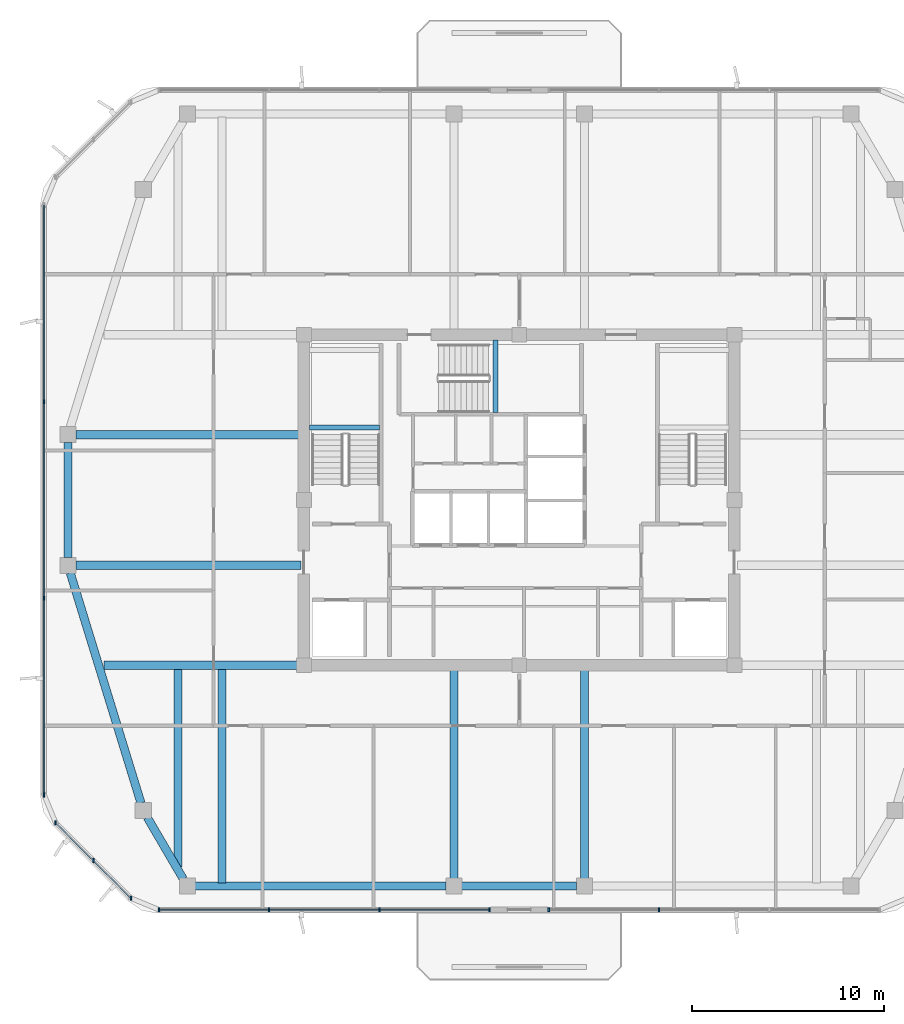
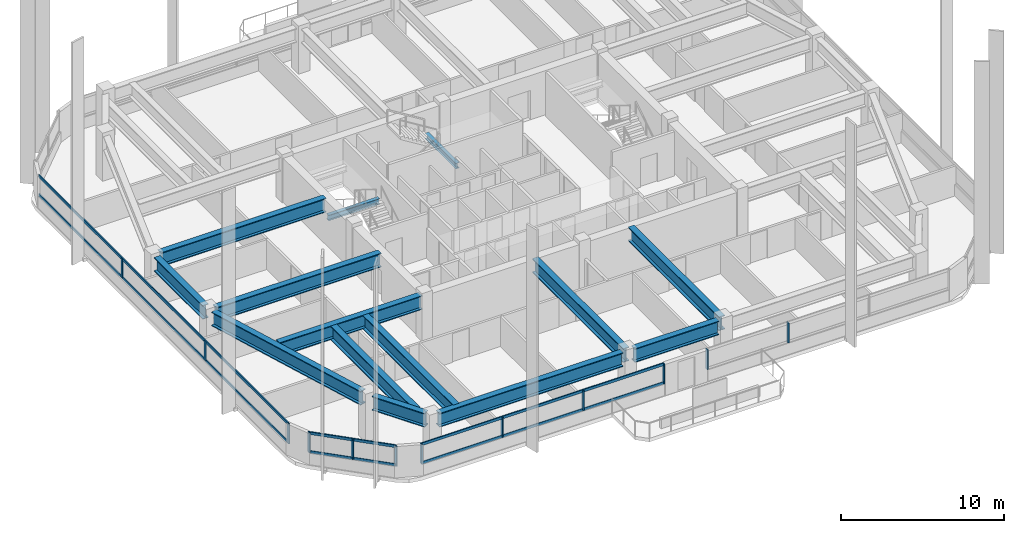
# One storey, part 2 of 13: 18 members, 14 beams, 4 elements without a shape of their own.
"""IFC4 building model written with IfcOpenShell, lengths in metres."""

from ifc_helpers import new_model, si_unit, derived_unit, direction, frame, origin, origin_2d, place, context, subcontext, project, spatial, rectangle, i_section, extrude, material, material_profile, profile_set, type_object, element, aggregate, save


model = new_model("IFC4")

# Units and contexts
model_context = context("Model", 3, precision=1e-05, world=origin(), true_north=direction((0.0, 1.0)))
body_context = subcontext(model_context, "Body", "Model", "MODEL_VIEW")
ifc_project = project(units=[si_unit("LENGTHUNIT", "METRE"), si_unit("AREAUNIT", "SQUARE_METRE"), si_unit("VOLUMEUNIT", "CUBIC_METRE"), si_unit("PLANEANGLEUNIT", "RADIAN"), si_unit("MASSUNIT", "GRAM", prefix="KILO"), derived_unit("THERMALTRANSMITTANCEUNIT", [(si_unit("POWERUNIT", "WATT"), 1), (si_unit("LENGTHUNIT", "METRE"), -2), (si_unit("THERMODYNAMICTEMPERATUREUNIT", "KELVIN"), -1)])], contexts=[model_context])

# Site, building, storey
site_placement = place(None, origin())
site = spatial("IfcSite", under=ifc_project, at=site_placement, CompositionType="ELEMENT")
building_placement = place(site_placement, origin())
building = spatial("IfcBuilding", under=site, at=building_placement, Name="Koralith Skygarden Medical Center", CompositionType="ELEMENT")
storey_placement = place(building_placement, frame((0.0, 0.0, 282.419921875)))
storey = spatial("IfcBuildingStorey", under=building, at=storey_placement, Name="L73", CompositionType="ELEMENT", Elevation=282.419921875)

# Curtain wall, members
ifc_material_1 = material(Name="Clear Laminated Glass", Category="glass")
curtain_wall_type = type_object("IfcCurtainWallType", Name="CW-6 Zone 5 Upper Clinical Curtain Wall", PredefinedType="NOTDEFINED", material=ifc_material_1)
curtain_wall_1_placement = place(storey_placement, origin())
curtain_wall_1 = element("IfcCurtainWall", 1, at=curtain_wall_1_placement, inside=storey, type_object=curtain_wall_type, Name="Curtain Wall CW-L73-S-L", PredefinedType="NOTDEFINED")
ifc_material_2 = material(Name="Aluminium 6063-T6", Category="aluminium")
ifc_material_profile_1 = material_profile(ifc_material_2, rectangle(XDim=0.0830078125, YDim=0.219970703125, at=origin_2d()), Name="MUL83X220")
ifc_profile_set_1 = profile_set([ifc_material_profile_1], Name="Aluminium 6063-T6")
member_type_1 = type_object("IfcMemberType", Name="CW-6 Extruded Mullion 83x220", PredefinedType="MULLION", material=ifc_profile_set_1)
member_1_placement = place(storey_placement, frame((18.2548828125, 4.580078125, 0.85009765625), z_axis=(0.0, 0.0, 1.0), x_axis=(1.0, 0.0, 0.0)))
member_1 = element("IfcMember", 2, at=member_1_placement, type_object=member_type_1, Name="CW-L73-S-L Mullion 1", PredefinedType="MULLION", context=body_context, shape_type="SweptSolid", body=[
    extrude(rectangle(XDim=0.0830078125, YDim=0.219970703125, at=origin_2d()), origin(), (0.0, 0.0, 1.0), 1.5),
])
member_2_placement = place(storey_placement, frame((23.989990234375, 4.580078125, 0.85009765625), z_axis=(0.0, 0.0, 1.0), x_axis=(1.0, 0.0, 0.0)))
member_2 = element("IfcMember", 3, at=member_2_placement, type_object=member_type_1, Name="CW-L73-S-L Mullion 2", PredefinedType="MULLION", context=body_context, shape_type="SweptSolid", body=[
    extrude(rectangle(XDim=0.0830078125, YDim=0.219970703125, at=origin_2d()), origin(), (0.0, 0.0, 1.0), 1.5),
])
member_3_placement = place(storey_placement, frame((29.72412109375, 4.580078125, 0.85009765625), z_axis=(0.0, 0.0, 1.0), x_axis=(1.0, 0.0, 0.0)))
member_3 = element("IfcMember", 4, at=member_3_placement, type_object=member_type_1, Name="CW-L73-S-L Mullion 3", PredefinedType="MULLION", context=body_context, shape_type="SweptSolid", body=[
    extrude(rectangle(XDim=0.0830078125, YDim=0.219970703125, at=origin_2d()), origin(), (0.0, 0.0, 1.0), 1.5),
])
member_4_placement = place(storey_placement, frame((35.458984375, 4.580078125, 0.85009765625), z_axis=(0.0, 0.0, 1.0), x_axis=(1.0, 0.0, 0.0)))
member_4 = element("IfcMember", 5, at=member_4_placement, type_object=member_type_1, Name="CW-L73-S-L Mullion 4", PredefinedType="MULLION", context=body_context, shape_type="SweptSolid", body=[
    extrude(rectangle(XDim=0.0830078125, YDim=0.219970703125, at=origin_2d()), origin(), (0.0, 0.0, 1.0), 1.5),
])

curtain_wall_2_placement = place(storey_placement, origin())
curtain_wall_2 = element("IfcCurtainWall", 6, at=curtain_wall_2_placement, inside=storey, type_object=curtain_wall_type, Name="Curtain Wall CW-L73-S-R", PredefinedType="NOTDEFINED")
member_5_placement = place(storey_placement, frame((38.5390625, 4.580078125, 0.85009765625), z_axis=(0.0, 0.0, 1.0), x_axis=(1.0, 0.0, 0.0)))
member_5 = element("IfcMember", 7, at=member_5_placement, type_object=member_type_1, Name="CW-L73-S-R Mullion 1", PredefinedType="MULLION", context=body_context, shape_type="SweptSolid", body=[
    extrude(rectangle(XDim=0.0830078125, YDim=0.219970703125, at=origin_2d()), origin(), (0.0, 0.0, 1.0), 1.5),
])
member_6_placement = place(storey_placement, frame((44.27392578125, 4.580078125, 0.85009765625), z_axis=(0.0, 0.0, 1.0), x_axis=(1.0, 0.0, 0.0)))
member_6 = element("IfcMember", 8, at=member_6_placement, type_object=member_type_1, Name="CW-L73-S-R Mullion 2", PredefinedType="MULLION", context=body_context, shape_type="SweptSolid", body=[
    extrude(rectangle(XDim=0.0830078125, YDim=0.219970703125, at=origin_2d()), origin(), (0.0, 0.0, 1.0), 1.5),
])
aggregate(curtain_wall_2, [member_5, member_6])

curtain_wall_3_placement = place(storey_placement, origin())
curtain_wall_3 = element("IfcCurtainWall", 9, at=curtain_wall_3_placement, inside=storey, type_object=curtain_wall_type, Name="Curtain Wall CW-L73-W", PredefinedType="NOTDEFINED")
member_7_placement = place(storey_placement, frame((12.280029296875, 31.014892578125, 0.85009765625), z_axis=(0.0, 0.0, 1.0), x_axis=(1.0, 0.0, 0.0)))
member_7 = element("IfcMember", 10, at=member_7_placement, type_object=member_type_1, Name="CW-L73-W Mullion 2", PredefinedType="MULLION", context=body_context, shape_type="SweptSolid", body=[
    extrude(rectangle(XDim=0.0830078125, YDim=0.219970703125, at=origin_2d()), origin(), (0.0, 0.0, 1.0), 1.5),
])
member_8_placement = place(storey_placement, frame((12.280029296875, 20.784912109375, 0.85009765625), z_axis=(0.0, 0.0, 1.0), x_axis=(1.0, 0.0, 0.0)))
member_8 = element("IfcMember", 11, at=member_8_placement, type_object=member_type_1, Name="CW-L73-W Mullion 3", PredefinedType="MULLION", context=body_context, shape_type="SweptSolid", body=[
    extrude(rectangle(XDim=0.0830078125, YDim=0.219970703125, at=origin_2d()), origin(), (0.0, 0.0, 1.0), 1.5),
])
member_9_placement = place(storey_placement, frame((12.280029296875, 10.554931640625, 0.85009765625), z_axis=(0.0, 0.0, 1.0), x_axis=(1.0, 0.0, 0.0)))
member_9 = element("IfcMember", 12, at=member_9_placement, type_object=member_type_1, Name="CW-L73-W Mullion 4", PredefinedType="MULLION", context=body_context, shape_type="SweptSolid", body=[
    extrude(rectangle(XDim=0.0830078125, YDim=0.219970703125, at=origin_2d()), origin(), (0.0, 0.0, 1.0), 1.5),
])

curtain_wall_4_placement = place(storey_placement, origin())
curtain_wall_4 = element("IfcCurtainWall", 13, at=curtain_wall_4_placement, inside=storey, type_object=curtain_wall_type, Name="Curtain Wall CW-L73-SW", PredefinedType="NOTDEFINED")
member_10_placement = place(storey_placement, frame((12.881103515625, 9.10400390625, 0.85009765625), z_axis=(0.0, 0.0, 1.0), x_axis=(1.0, 0.0, 0.0)))
member_10 = element("IfcMember", 14, at=member_10_placement, type_object=member_type_1, Name="CW-L73-SW Mullion 1", PredefinedType="MULLION", context=body_context, shape_type="SweptSolid", body=[
    extrude(rectangle(XDim=0.0830078125, YDim=0.219970703125, at=origin_2d()), origin(), (0.0, 0.0, 1.0), 1.5),
])
member_11_placement = place(storey_placement, frame((14.842041015625, 7.14306640625, 0.85009765625), z_axis=(0.0, 0.0, 1.0), x_axis=(1.0, 0.0, 0.0)))
member_11 = element("IfcMember", 15, at=member_11_placement, type_object=member_type_1, Name="CW-L73-SW Mullion 2", PredefinedType="MULLION", context=body_context, shape_type="SweptSolid", body=[
    extrude(rectangle(XDim=0.0830078125, YDim=0.219970703125, at=origin_2d()), origin(), (0.0, 0.0, 1.0), 1.5),
])
member_12_placement = place(storey_placement, frame((16.803955078125, 5.180908203125, 0.85009765625), z_axis=(0.0, 0.0, 1.0), x_axis=(1.0, 0.0, 0.0)))
member_12 = element("IfcMember", 16, at=member_12_placement, type_object=member_type_1, Name="CW-L73-SW Mullion 3", PredefinedType="MULLION", context=body_context, shape_type="SweptSolid", body=[
    extrude(rectangle(XDim=0.0830078125, YDim=0.219970703125, at=origin_2d()), origin(), (0.0, 0.0, 1.0), 1.5),
])

# Member
ifc_material_profile_2 = material_profile(ifc_material_2, rectangle(XDim=0.077880859375, YDim=0.197998046875, at=origin_2d()), Name="TRN78X198")
ifc_profile_set_2 = profile_set([ifc_material_profile_2], Name="Aluminium 6063-T6")
member_type_2 = type_object("IfcMemberType", Name="CW-6 Thermal Transom 78x198", PredefinedType="USERDEFINED", material=ifc_profile_set_2)
member_13_placement = place(storey_placement, frame((18.2548828125, 4.580078125, 0.900146484375), z_axis=(1.0, 0.0, 0.0), x_axis=(0.0, 1.0, 0.0)))
member_13 = element("IfcMember", 17, at=member_13_placement, type_object=member_type_2, Name="CW-L73-S-L Transom 1", ObjectType="TRANSOM", PredefinedType="USERDEFINED", context=body_context, shape_type="SweptSolid", body=[
    extrude(rectangle(XDim=0.077880859375, YDim=0.197998046875, at=origin_2d()), origin(), (0.0, 0.0, 1.0), 17.2041015625),
])

member_14_placement = place(storey_placement, frame((18.2548828125, 4.580078125, 2.300048828125), z_axis=(1.0, 0.0, 0.0), x_axis=(0.0, 1.0, 0.0)))
member_14 = element("IfcMember", 18, at=member_14_placement, type_object=member_type_2, Name="CW-L73-S-L Transom 2", ObjectType="TRANSOM", PredefinedType="USERDEFINED", context=body_context, shape_type="SweptSolid", body=[
    extrude(rectangle(XDim=0.077880859375, YDim=0.197998046875, at=origin_2d()), origin(), (0.0, 0.0, 1.0), 17.2041015625),
])

aggregate(curtain_wall_1, [member_1, member_2, member_3, member_4, member_13, member_14])

member_15_placement = place(storey_placement, frame((12.280029296875, 41.2451171875, 0.900146484375), z_axis=(0.0, -1.0, 0.0), x_axis=(1.0, 0.0, 0.0)))
member_15 = element("IfcMember", 19, at=member_15_placement, type_object=member_type_2, Name="CW-L73-W Transom 1", ObjectType="TRANSOM", PredefinedType="USERDEFINED", context=body_context, shape_type="SweptSolid", body=[
    extrude(rectangle(XDim=0.077880859375, YDim=0.197998046875, at=origin_2d()), origin(), (0.0, 0.0, 1.0), 30.690185546875),
])

member_16_placement = place(storey_placement, frame((12.280029296875, 41.2451171875, 2.300048828125), z_axis=(0.0, -1.0, 0.0), x_axis=(1.0, 0.0, 0.0)))
member_16 = element("IfcMember", 20, at=member_16_placement, type_object=member_type_2, Name="CW-L73-W Transom 2", ObjectType="TRANSOM", PredefinedType="USERDEFINED", context=body_context, shape_type="SweptSolid", body=[
    extrude(rectangle(XDim=0.077880859375, YDim=0.197998046875, at=origin_2d()), origin(), (0.0, 0.0, 1.0), 30.690185546875),
])

aggregate(curtain_wall_3, [member_7, member_8, member_9, member_15, member_16])

member_17_placement = place(storey_placement, frame((12.881103515625, 9.10400390625, 0.900146484375), z_axis=(0.707084777957, -0.707128783731, 0.0), x_axis=(0.707128783731, 0.707084777957, 0.0)))
member_17 = element("IfcMember", 21, at=member_17_placement, type_object=member_type_2, Name="CW-L73-SW Transom 1", ObjectType="TRANSOM", PredefinedType="USERDEFINED", context=body_context, shape_type="SweptSolid", body=[
    extrude(rectangle(XDim=0.077880859375, YDim=0.197998046875, at=origin_2d()), origin(), (0.0, 0.0, 1.0), 5.5478515625),
])

member_18_placement = place(storey_placement, frame((12.881103515625, 9.10400390625, 2.300048828125), z_axis=(0.707084777957, -0.707128783731, 0.0), x_axis=(0.707128783731, 0.707084777957, 0.0)))
member_18 = element("IfcMember", 22, at=member_18_placement, type_object=member_type_2, Name="CW-L73-SW Transom 2", ObjectType="TRANSOM", PredefinedType="USERDEFINED", context=body_context, shape_type="SweptSolid", body=[
    extrude(rectangle(XDim=0.077880859375, YDim=0.197998046875, at=origin_2d()), origin(), (0.0, 0.0, 1.0), 5.5478515625),
])

aggregate(curtain_wall_4, [member_10, member_11, member_12, member_17, member_18])

# Beams
ifc_material_3 = material(Name="Steel ASTM A992 Grade 50", Category="steel")
ifc_material_profile_3 = material_profile(ifc_material_3, i_section(OverallWidth=0.260009765625, OverallDepth=0.4150390625, WebThickness=0.010009765625, FlangeThickness=0.016845703125, at=origin_2d()), Name="W16X67")
ifc_profile_set_3 = profile_set([ifc_material_profile_3], Name="Steel ASTM A992 Grade 50")
beam_type_1 = type_object("IfcBeamType", Name="Clinical Floor Joist W16X67", PredefinedType="JOIST", material=ifc_profile_set_3)
beam_1_placement = place(storey_placement, frame((26.080078125, 29.659912109375, 1.39306640625), z_axis=(1.0, 0.0, 0.0), x_axis=(0.0, 1.0, 0.0)))
element("IfcBeam", 23, at=beam_1_placement, inside=storey, type_object=beam_type_1, Name="L73 Stair ST1 Half-Landing Support Beam 1A", PredefinedType="JOIST", context=body_context, shape_type="SweptSolid", body=[
    extrude(i_section(OverallWidth=0.260009765625, OverallDepth=0.4150390625, WebThickness=0.010009765625, FlangeThickness=0.016845703125, at=origin_2d()), origin(), (0.0, 0.0, 1.0), 3.639892578125),
])
beam_2_placement = place(storey_placement, frame((35.760009765625, 30.43994140625, 1.39306640625), z_axis=(0.0, 1.0, 0.0), x_axis=(-1.0, 0.0, 0.0)))
element("IfcBeam", 24, at=beam_2_placement, inside=storey, type_object=beam_type_1, Name="L73 Stair ST3 Half-Landing Support Beam 1A", PredefinedType="JOIST", context=body_context, shape_type="SweptSolid", body=[
    extrude(i_section(OverallWidth=0.260009765625, OverallDepth=0.4150390625, WebThickness=0.010009765625, FlangeThickness=0.016845703125, at=origin_2d()), origin(), (0.0, 0.0, 1.0), 3.780029296875),
])
ifc_material_profile_4 = material_profile(ifc_material_3, i_section(OverallWidth=0.427001953125, OverallDepth=1.041015625, WebThickness=0.031005859375, FlangeThickness=0.055908203125, at=origin_2d()), Name="W40X397")
ifc_profile_set_4 = profile_set([ifc_material_profile_4], Name="Steel ASTM A992 Grade 50")
beam_type_2 = type_object("IfcBeamType", Name="Crown Setback Transfer Girder W40X397", PredefinedType="USERDEFINED", material=ifc_profile_set_4)
beam_3_placement = place(storey_placement, frame((15.39990234375, 17.300048828125, 2.799072265625), z_axis=(1.0, 0.0, 0.0), x_axis=(0.0, 1.0, 0.0)))
element("IfcBeam", 25, at=beam_3_placement, inside=storey, type_object=beam_type_2, Name="L73 Setback Collector Chord WS", ObjectType="TRANSFER GIRDER", PredefinedType="USERDEFINED", context=body_context, shape_type="SweptSolid", body=[
    extrude(i_section(OverallWidth=0.427001953125, OverallDepth=1.041015625, WebThickness=0.031005859375, FlangeThickness=0.055908203125, at=origin_2d()), origin(), (0.0, 0.0, 1.0), 10.150146484375),
])
beam_4_placement = place(storey_placement, frame((25.64990234375, 22.5, 2.799072265625), z_axis=(-1.0, 0.0, 0.0), x_axis=(0.0, -1.0, 0.0)))
element("IfcBeam", 26, at=beam_4_placement, inside=storey, type_object=beam_type_2, Name="L73 Setback Transfer Girder STG-01", ObjectType="TRANSFER GIRDER", PredefinedType="USERDEFINED", context=body_context, shape_type="SweptSolid", body=[
    extrude(i_section(OverallWidth=0.427001953125, OverallDepth=1.041015625, WebThickness=0.031005859375, FlangeThickness=0.055908203125, at=origin_2d()), origin(), (0.0, 0.0, 1.0), 11.719970703125),
])
beam_5_placement = place(storey_placement, frame((19.239990234375, 17.14990234375, 2.799072265625), z_axis=(0.0, -1.0, 0.0), x_axis=(1.0, 0.0, 0.0)))
element("IfcBeam", 27, at=beam_5_placement, inside=storey, type_object=beam_type_2, Name="L73 Setback Transfer Girder STG-02", ObjectType="TRANSFER GIRDER", PredefinedType="USERDEFINED", context=body_context, shape_type="SweptSolid", body=[
    extrude(i_section(OverallWidth=0.427001953125, OverallDepth=1.041015625, WebThickness=0.031005859375, FlangeThickness=0.055908203125, at=origin_2d()), origin(), (0.0, 0.0, 1.0), 10.3388671875),
])
for number, where, z_axis, x_axis, name in (
    (28, (21.531982421875, 17.14990234375, 2.799072265625), (0.0, -1.0, 0.0), (1.0, 0.0, 0.0), "L73 Setback Transfer Girder STG-03"),
    (29, (33.60009765625, 17.14990234375, 2.799072265625), (0.0, -1.0, 0.0), (1.0, 0.0, 0.0), "L73 Setback Transfer Girder STG-04"),
    (30, (40.39990234375, 17.14990234375, 2.799072265625), (0.0, -1.0, 0.0), (1.0, 0.0, 0.0), "L73 Setback Transfer Girder STG-05"),
):
    element("IfcBeam", number, at=place(storey_placement, frame(where, z_axis=z_axis, x_axis=x_axis)), inside=storey, type_object=beam_type_2, Name=name, ObjectType="TRANSFER GIRDER", PredefinedType="USERDEFINED", context=body_context, shape_type="SweptSolid", body=[
        extrude(i_section(OverallWidth=0.427001953125, OverallDepth=1.041015625, WebThickness=0.031005859375, FlangeThickness=0.055908203125, at=origin_2d()), origin(), (0.0, 0.0, 1.0), 11.179931640625),
    ])
beam_6_placement = place(storey_placement, frame((25.64990234375, 29.300048828125, 2.799072265625), z_axis=(-1.0, 0.0, 0.0), x_axis=(0.0, -1.0, 0.0)))
element("IfcBeam", 31, at=beam_6_placement, inside=storey, type_object=beam_type_2, Name="L73 Setback Transfer Girder STG-16", ObjectType="TRANSFER GIRDER", PredefinedType="USERDEFINED", context=body_context, shape_type="SweptSolid", body=[
    extrude(i_section(OverallWidth=0.427001953125, OverallDepth=1.041015625, WebThickness=0.031005859375, FlangeThickness=0.055908203125, at=origin_2d()), origin(), (0.0, 0.0, 1.0), 11.719970703125),
])
beam_7_placement = place(storey_placement, frame((13.639892578125, 22.10791015625, 2.799072265625), z_axis=(0.293743494914, -0.955884281279, 0.0), x_axis=(0.955884281279, 0.293743494914, 0.0)))
element("IfcBeam", 32, at=beam_7_placement, inside=storey, type_object=beam_type_2, Name="L73 Perimeter Spandrel Beam SP-01", ObjectType="TRANSFER GIRDER", PredefinedType="USERDEFINED", context=body_context, shape_type="SweptSolid", body=[
    extrude(i_section(OverallWidth=0.427001953125, OverallDepth=1.041015625, WebThickness=0.031005859375, FlangeThickness=0.055908203125, at=origin_2d()), origin(), (0.0, 0.0, 1.0), 12.528564453125),
])
beam_8_placement = place(storey_placement, frame((17.64697265625, 9.385986328125, 2.799072265625), z_axis=(0.50473571007, -0.863273921175, 0.0), x_axis=(0.863273921175, 0.50473571007, 0.0)))
element("IfcBeam", 33, at=beam_8_placement, inside=storey, type_object=beam_type_2, Name="L73 Perimeter Spandrel Beam SP-02", ObjectType="TRANSFER GIRDER", PredefinedType="USERDEFINED", context=body_context, shape_type="SweptSolid", body=[
    extrude(i_section(OverallWidth=0.427001953125, OverallDepth=1.041015625, WebThickness=0.031005859375, FlangeThickness=0.055908203125, at=origin_2d()), origin(), (0.0, 0.0, 1.0), 3.720703125),
])
beam_9_placement = place(storey_placement, frame((20.14208984375, 5.820068359375, 2.799072265625), z_axis=(1.0, 0.0, 0.0), x_axis=(0.0, 1.0, 0.0)))
element("IfcBeam", 34, at=beam_9_placement, inside=storey, type_object=beam_type_2, Name="L73 Perimeter Spandrel Beam SP-03", ObjectType="TRANSFER GIRDER", PredefinedType="USERDEFINED", context=body_context, shape_type="SweptSolid", body=[
    extrude(i_section(OverallWidth=0.427001953125, OverallDepth=1.041015625, WebThickness=0.031005859375, FlangeThickness=0.055908203125, at=origin_2d()), origin(), (0.0, 0.0, 1.0), 13.0478515625),
])
for number, where, z_axis, x_axis, name in (
    (35, (34.010009765625, 5.820068359375, 2.799072265625), (1.0, 0.0, 0.0), (0.0, 1.0, 0.0), "L73 Perimeter Spandrel Beam SP-04"),
    (36, (13.52001953125, 28.889892578125, 2.799072265625), (0.0, -1.0, 0.0), (1.0, 0.0, 0.0), "L73 Perimeter Spandrel Beam SP-16"),
):
    element("IfcBeam", number, at=place(storey_placement, frame(where, z_axis=z_axis, x_axis=x_axis)), inside=storey, type_object=beam_type_2, Name=name, ObjectType="TRANSFER GIRDER", PredefinedType="USERDEFINED", context=body_context, shape_type="SweptSolid", body=[
        extrude(i_section(OverallWidth=0.427001953125, OverallDepth=1.041015625, WebThickness=0.031005859375, FlangeThickness=0.055908203125, at=origin_2d()), origin(), (0.0, 0.0, 1.0), 5.97998046875),
    ])

save(model, "model.ifc")
